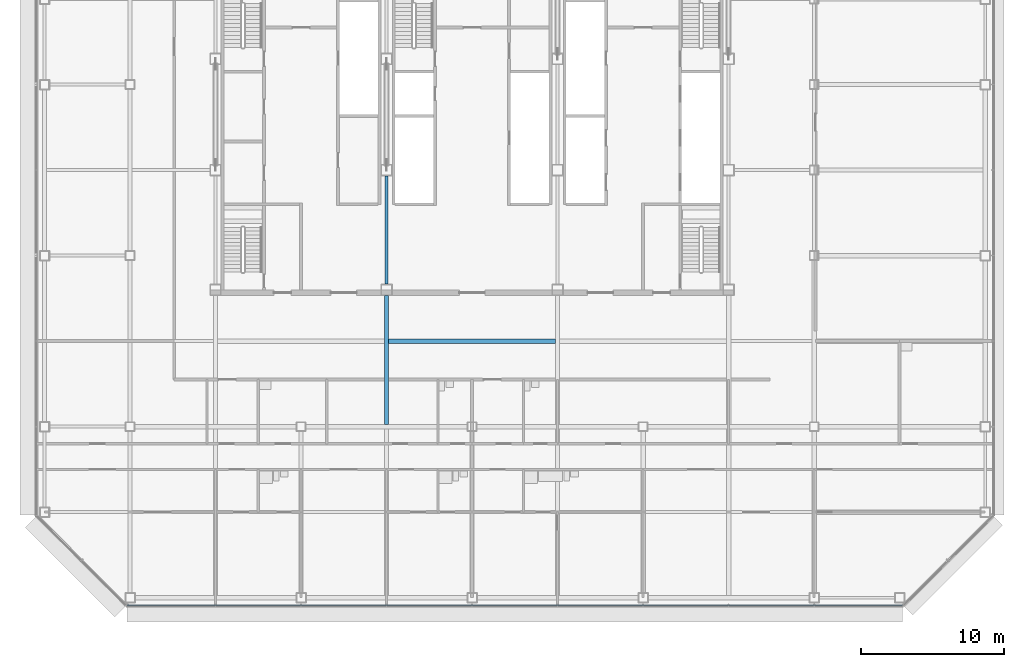
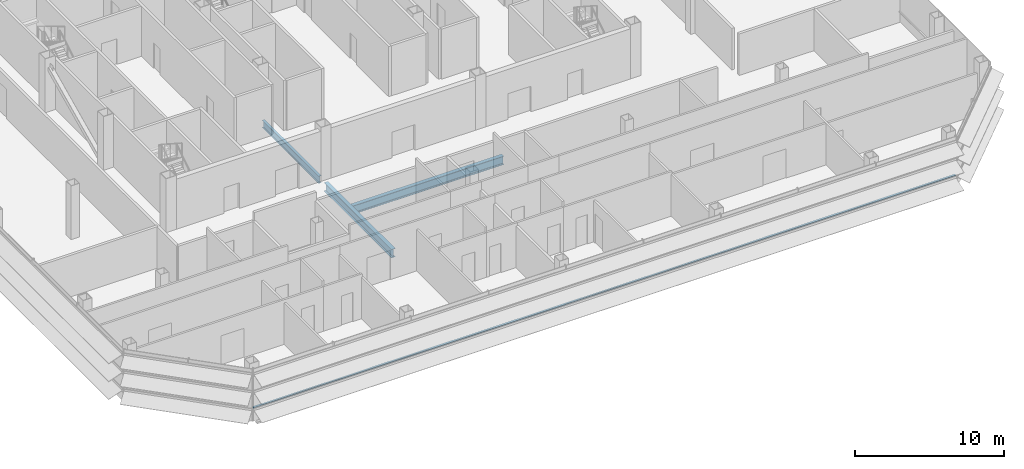
# One storey, part 7 of 26: 3 beams, 1 member, 1 element without a shape of its own.
"""IFC4 building model written with IfcOpenShell, lengths in metres."""

from ifc_helpers import new_model, si_unit, direction, frame, origin, origin_2d, place, context, subcontext, project, spatial, rectangle, i_section, extrude, material, material_profile, profile_set, type_object, element, aggregate, save


model = new_model("IFC4")

# Units and contexts
model_context = context("Model", 3, precision=1e-05, world=origin(), true_north=direction((0.0, 1.0)))
body_context = subcontext(model_context, "Body", "Model", "MODEL_VIEW")
ifc_project = project(units=[si_unit("LENGTHUNIT", "METRE"), si_unit("AREAUNIT", "SQUARE_METRE"), si_unit("VOLUMEUNIT", "CUBIC_METRE"), si_unit("PLANEANGLEUNIT", "RADIAN"), si_unit("MASSUNIT", "GRAM", prefix="KILO")], contexts=[model_context])

# Site, building, storey
site_placement = place(None, origin())
site = spatial("IfcSite", under=ifc_project, at=site_placement, CompositionType="ELEMENT")
building_placement = place(site_placement, origin())
building = spatial("IfcBuilding", under=site, at=building_placement, Name="Sorahane Residences", CompositionType="ELEMENT")
storey_placement = place(building_placement, frame((0.0, 0.0, 181.60009765625)))
storey = spatial("IfcBuildingStorey", under=building, at=storey_placement, Name="L42", CompositionType="ELEMENT", Elevation=181.60009765625)

# Curtain wall, member
ifc_material_1 = material(Name="Dark low-e glass and black anodised aluminium", Category="aluminium")
curtain_wall_type = type_object("IfcCurtainWallType", Name="Curtain wall CW-1 Typical unitised wall", PredefinedType="NOTDEFINED", material=ifc_material_1)
curtain_wall_placement = place(storey_placement, origin())
curtain_wall = element("IfcCurtainWall", 1, at=curtain_wall_placement, inside=storey, type_object=curtain_wall_type, Name="CW-1 curtain wall L42 S1", PredefinedType="NOTDEFINED")
ifc_material_2 = material(Name="Black anodised aluminium", Category="aluminium")
ifc_material_profile_1 = material_profile(ifc_material_2, rectangle(XDim=0.10009765625, YDim=0.06005859375, at=origin_2d()), Name="Curtain wall transom CW-1 black anodised aluminium 60x100")
ifc_profile_set_1 = profile_set([ifc_material_profile_1], Name="Black anodised aluminium")
member_type = type_object("IfcMemberType", Name="Curtain wall transom CW-1 black anodised aluminium 60x100", PredefinedType="USERDEFINED", material=ifc_profile_set_1)
member_placement = place(storey_placement, frame((-0.198486328125, -0.530029296875, 0.89990234375), z_axis=(1.0, 0.0, 0.0), x_axis=(0.0, 1.0, 0.0)))
member = element("IfcMember", 2, at=member_placement, type_object=member_type, Name="CW-1 transom L42 S1", ObjectType="TRANSOM", PredefinedType="USERDEFINED", context=body_context, shape_type="SweptSolid", body=[
    extrude(rectangle(XDim=0.10009765625, YDim=0.06005859375, at=origin_2d()), origin(), (0.0, 0.0, 1.0), 54.39697265625),
])
aggregate(curtain_wall, [member])

# Beams
ifc_material_3 = material(Name="Steel Q355B", Category="steel")
ifc_material_profile_2 = material_profile(ifc_material_3, i_section(OverallWidth=0.199951171875, OverallDepth=0.60009765625, WebThickness=0.010986328125, FlangeThickness=0.01708984375, FilletRadius=0.02392578125, at=origin_2d()), Name="HN 600x200x11x17")
ifc_profile_set_2 = profile_set([ifc_material_profile_2], Name="Steel Q355B")
beam_type_1 = type_object("IfcBeamType", Name="Steel floor beam HN 600x200x11x17 Q355B", PredefinedType="BEAM", material=ifc_profile_set_2)
beam_1_placement = place(storey_placement, frame((18.0, 22.0, -0.47998046875), z_axis=(0.0, 1.0, 0.0), x_axis=(-1.0, 0.0, 0.0)))
element("IfcBeam", 3, at=beam_1_placement, inside=storey, type_object=beam_type_1, Name="Beam L42 038", PredefinedType="BEAM", context=body_context, shape_type="SweptSolid", body=[
    extrude(i_section(OverallWidth=0.199951171875, OverallDepth=0.60009765625, WebThickness=0.010986328125, FlangeThickness=0.01708984375, FilletRadius=0.02392578125, at=origin_2d()), origin(), (0.0, 0.0, 1.0), 7.60009765625),
])
ifc_material_4 = material(Name="Steel Q355B", Category="steel")
ifc_material_profile_3 = material_profile(ifc_material_4, i_section(OverallWidth=0.300048828125, OverallDepth=0.699951171875, WebThickness=0.012939453125, FlangeThickness=0.02392578125, FilletRadius=0.028076171875, at=origin_2d()), Name="HN 700x300x13x24")
ifc_profile_set_3 = profile_set([ifc_material_profile_3], Name="Steel Q355B")
beam_type_2 = type_object("IfcBeamType", Name="Steel floor beam HN 700x300x13x24 Q355B", PredefinedType="BEAM", material=ifc_profile_set_3)
beam_2_placement = place(storey_placement, frame((18.0, 12.14990234375, -0.530029296875), z_axis=(0.0, 1.0, 0.0), x_axis=(-1.0, 0.0, 0.0)))
element("IfcBeam", 4, at=beam_2_placement, inside=storey, type_object=beam_type_2, Name="Beam L42 037", PredefinedType="BEAM", context=body_context, shape_type="SweptSolid", body=[
    extrude(i_section(OverallWidth=0.300048828125, OverallDepth=0.699951171875, WebThickness=0.012939453125, FlangeThickness=0.02392578125, FilletRadius=0.028076171875, at=origin_2d()), origin(), (0.0, 0.0, 1.0), 9.050048828125),
])
beam_3_placement = place(storey_placement, frame((18.14990234375, 18.0, -0.530029296875), z_axis=(1.0, 0.0, 0.0), x_axis=(0.0, 1.0, 0.0)))
element("IfcBeam", 5, at=beam_3_placement, inside=storey, type_object=beam_type_2, Name="Beam L42 081", PredefinedType="BEAM", context=body_context, shape_type="SweptSolid", body=[
    extrude(i_section(OverallWidth=0.300048828125, OverallDepth=0.699951171875, WebThickness=0.012939453125, FlangeThickness=0.02392578125, FilletRadius=0.028076171875, at=origin_2d()), origin(), (0.0, 0.0, 1.0), 11.7001953125),
])

save(model, "model.ifc")
